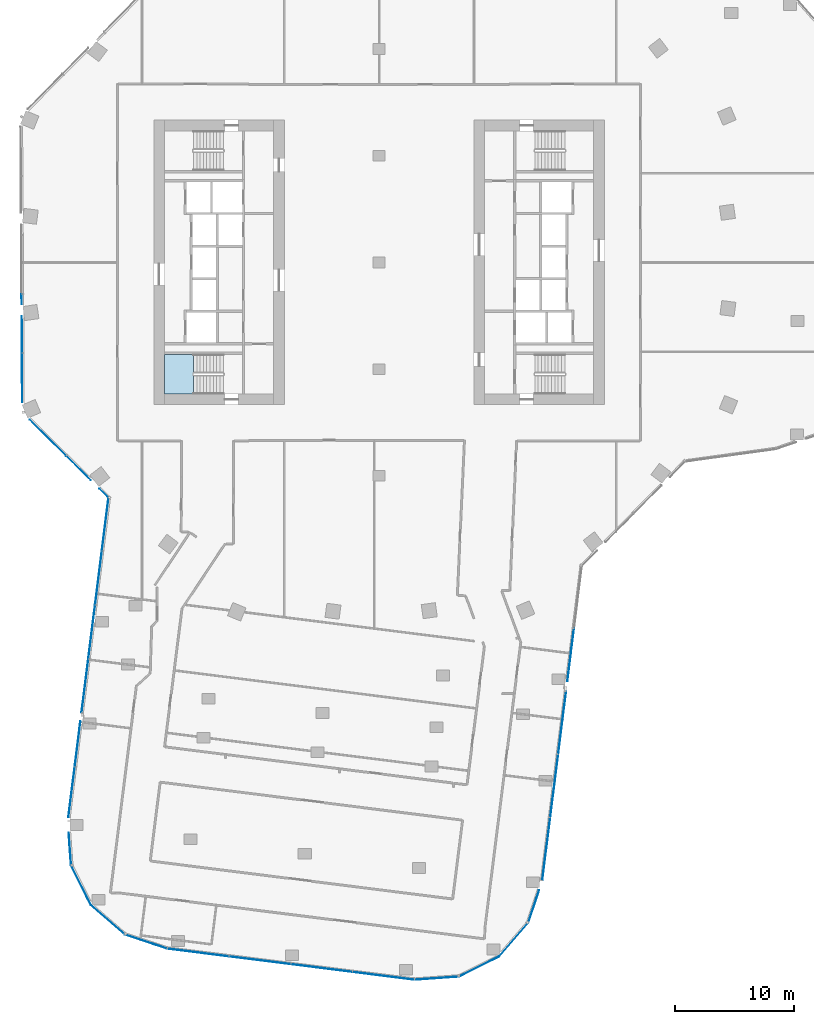
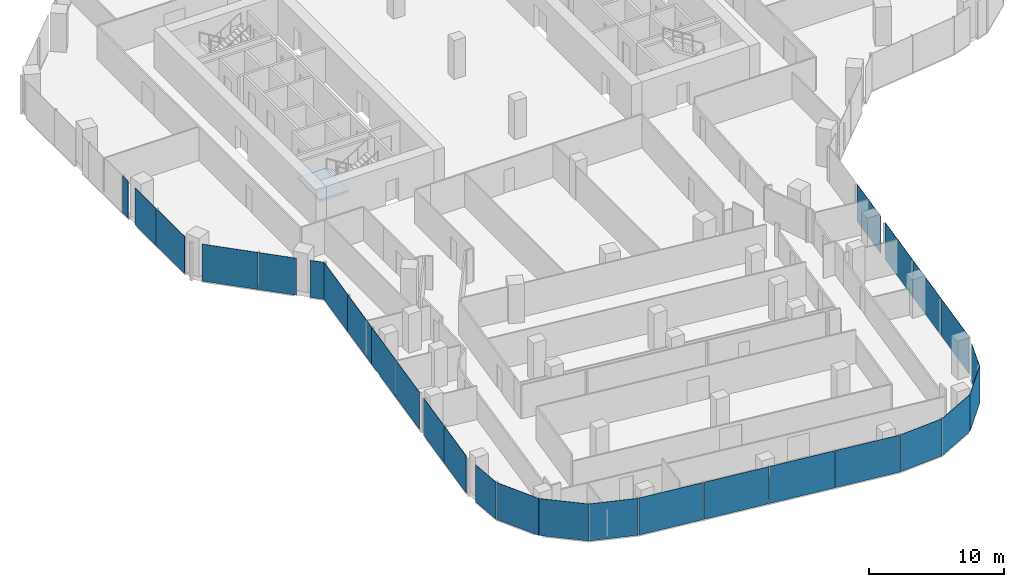
# One storey, part 13 of 27: 28 plates, 1 slab, 14 elements without a shape of their own.
"""IFC4 building model written with IfcOpenShell, lengths in metres."""

from ifc_helpers import new_model, si_unit, direction, frame, origin, origin_2d, place, context, subcontext, project, spatial, polyline, rectangle, outline, extrude, material, layer, layer_set, type_object, element, aggregate, save


model = new_model("IFC4")

# Units and contexts
model_context = context("Model", 3, precision=1e-05, world=origin(), true_north=direction((0.0, 1.0)))
body_context = subcontext(model_context, "Body", "Model", "MODEL_VIEW")
ifc_project = project(units=[si_unit("LENGTHUNIT", "METRE"), si_unit("AREAUNIT", "SQUARE_METRE"), si_unit("VOLUMEUNIT", "CUBIC_METRE"), si_unit("PLANEANGLEUNIT", "RADIAN"), si_unit("MASSUNIT", "GRAM", prefix="KILO")], contexts=[model_context])

# Site, building, storey
site_placement = place(None, origin())
site = spatial("IfcSite", under=ifc_project, at=site_placement, CompositionType="ELEMENT")
building_placement = place(site_placement, origin())
building = spatial("IfcBuilding", under=site, at=building_placement, Name="Orlundy Tower", CompositionType="ELEMENT")
storey_placement = place(building_placement, frame((0.0, 0.0, 199.10009765625)))
storey = spatial("IfcBuildingStorey", under=building, at=storey_placement, Name="L52", CompositionType="ELEMENT", Elevation=199.10009765625)

# Curtain wall, plates
ifc_material_1 = material(Name="Aluminium bronze anodised", Category="aluminium")
curtain_wall_type = type_object("IfcCurtainWallType", Name="CW1 wall", PredefinedType="NOTDEFINED", material=ifc_material_1)
curtain_wall_1_placement = place(storey_placement, origin())
curtain_wall_1 = element("IfcCurtainWall", 1, at=curtain_wall_1_placement, inside=storey, type_object=curtain_wall_type, Name="CW1 run 00", PredefinedType="NOTDEFINED")
ifc_material_2 = material(Name="Tinted glass", Category="glass")
ifc_layer_1 = layer(ifc_material_2, 0.031982421875)
ifc_layer_set_1 = layer_set([ifc_layer_1], Name="CW1 glass panel 32")
plate_type = type_object("IfcPlateType", Name="CW1 glass panel 32", PredefinedType="CURTAIN_PANEL", material=ifc_layer_set_1)
plate_1_placement = place(storey_placement, frame((-25.94189453125, -44.684814453125, -0.300048828125), z_axis=(0.0, 0.0, 1.0), x_axis=(0.124763360518, 0.992186526754, 0.0)))
plate_1 = element("IfcPlate", 2, at=plate_1_placement, type_object=plate_type, Name="CW1 panel", PredefinedType="CURTAIN_PANEL", context=body_context, shape_type="SweptSolid", body=[
    extrude(rectangle(XDim=4.27197265625, YDim=0.031982421875, at=origin_2d()), origin(), (0.0, 0.0, 1.0), 3.35009765625),
])
plate_2_placement = place(storey_placement, frame((-25.4306640625, -40.618896484375, -0.300048828125), z_axis=(0.0, 0.0, 1.0), x_axis=(0.124763360518, 0.992186526754, 0.0)))
plate_2 = element("IfcPlate", 3, at=plate_2_placement, type_object=plate_type, Name="CW1 panel", PredefinedType="CURTAIN_PANEL", context=body_context, shape_type="SweptSolid", body=[
    extrude(rectangle(XDim=3.823974609375, YDim=0.031982421875, at=origin_2d()), origin(), (0.0, 0.0, 1.0), 3.35009765625),
])
plate_3_placement = place(storey_placement, frame((-24.8134765625, -35.71142578125, -0.300048828125), z_axis=(0.0, 0.0, 1.0), x_axis=(0.124763360518, 0.992186526754, 0.0)))
plate_3 = element("IfcPlate", 4, at=plate_3_placement, type_object=plate_type, Name="CW1 panel", PredefinedType="CURTAIN_PANEL", context=body_context, shape_type="SweptSolid", body=[
    extrude(rectangle(XDim=4.53857421875, YDim=0.031982421875, at=origin_2d()), origin(), (0.0, 0.0, 1.0), 3.35009765625),
])
plate_4_placement = place(storey_placement, frame((-24.240966796875, -31.15869140625, -0.300048828125), z_axis=(0.0, 0.0, 1.0), x_axis=(0.124763360518, 0.992186526754, 0.0)))
plate_4 = element("IfcPlate", 5, at=plate_4_placement, type_object=plate_type, Name="CW1 panel", PredefinedType="CURTAIN_PANEL", context=body_context, shape_type="SweptSolid", body=[
    extrude(rectangle(XDim=4.53857421875, YDim=0.031982421875, at=origin_2d()), origin(), (0.0, 0.0, 1.0), 3.35009765625),
])
plate_5_placement = place(storey_placement, frame((-23.66845703125, -26.605712890625, -0.300048828125), z_axis=(0.0, 0.0, 1.0), x_axis=(0.124763360518, 0.992186526754, 0.0)))
plate_5 = element("IfcPlate", 6, at=plate_5_placement, type_object=plate_type, Name="CW1 panel", PredefinedType="CURTAIN_PANEL", context=body_context, shape_type="SweptSolid", body=[
    extrude(rectangle(XDim=4.53857421875, YDim=0.031982421875, at=origin_2d()), origin(), (0.0, 0.0, 1.0), 3.35009765625),
])
plate_6_placement = place(storey_placement, frame((-23.099365234375, -22.08056640625, -0.300048828125), z_axis=(0.0, 0.0, 1.0), x_axis=(0.124763360518, 0.992186526754, 0.0)))
plate_6 = element("IfcPlate", 7, at=plate_6_placement, type_object=plate_type, Name="CW1 panel", PredefinedType="CURTAIN_PANEL", context=body_context, shape_type="SweptSolid", body=[
    extrude(rectangle(XDim=4.48291015625, YDim=0.031982421875, at=origin_2d()), origin(), (0.0, 0.0, 1.0), 3.35009765625),
])
aggregate(curtain_wall_1, [plate_1, plate_2, plate_3, plate_4, plate_5, plate_6])

curtain_wall_2_placement = place(storey_placement, origin())
curtain_wall_2 = element("IfcCurtainWall", 8, at=curtain_wall_2_placement, inside=storey, type_object=curtain_wall_type, Name="CW1 run 01", PredefinedType="NOTDEFINED")
plate_7_placement = place(storey_placement, frame((-23.206298828125, -19.474853515625, -0.300048828125), z_axis=(0.0, 0.0, 1.0), x_axis=(-0.711197941896, 0.702991811789, 0.0)))
plate_7 = element("IfcPlate", 9, at=plate_7_placement, type_object=plate_type, Name="CW1 panel", PredefinedType="CURTAIN_PANEL", context=body_context, shape_type="SweptSolid", body=[
    extrude(rectangle(XDim=1.086669921875, YDim=0.031982421875, at=origin_2d()), origin(), (0.0, 0.0, 1.0), 3.35009765625),
])
plate_8_placement = place(storey_placement, frame((-25.350830078125, -17.35498046875, -0.300048828125), z_axis=(0.0, 0.0, 1.0), x_axis=(-0.711197941896, 0.702991811789, 0.0)))
plate_8 = element("IfcPlate", 10, at=plate_8_placement, type_object=plate_type, Name="CW1 panel", PredefinedType="CURTAIN_PANEL", context=body_context, shape_type="SweptSolid", body=[
    extrude(rectangle(XDim=2.90673828125, YDim=0.031982421875, at=origin_2d()), origin(), (0.0, 0.0, 1.0), 3.35009765625),
])
plate_9_placement = place(storey_placement, frame((-27.947509765625, -14.788330078125, -0.300048828125), z_axis=(0.0, 0.0, 1.0), x_axis=(-0.711197941896, 0.702991811789, 0.0)))
plate_9 = element("IfcPlate", 11, at=plate_9_placement, type_object=plate_type, Name="CW1 panel", PredefinedType="CURTAIN_PANEL", context=body_context, shape_type="SweptSolid", body=[
    extrude(rectangle(XDim=4.29541015625, YDim=0.031982421875, at=origin_2d()), origin(), (0.0, 0.0, 1.0), 3.35009765625),
])
aggregate(curtain_wall_2, [plate_7, plate_8, plate_9])

curtain_wall_3_placement = place(storey_placement, origin())
curtain_wall_3 = element("IfcCurtainWall", 12, at=curtain_wall_3_placement, inside=storey, type_object=curtain_wall_type, Name="CW1 run 02", PredefinedType="NOTDEFINED")
plate_10_placement = place(storey_placement, frame((-30.107666015625, -9.72998046875, -0.300048828125), z_axis=(0.0, 0.0, 1.0), x_axis=(-0.005834206419, 0.999982980873, 0.0)))
plate_10 = element("IfcPlate", 13, at=plate_10_placement, type_object=plate_type, Name="CW1 panel", PredefinedType="CURTAIN_PANEL", context=body_context, shape_type="SweptSolid", body=[
    extrude(rectangle(XDim=4.1474609375, YDim=0.031982421875, at=origin_2d()), origin(), (0.0, 0.0, 1.0), 3.35009765625),
])
plate_11_placement = place(storey_placement, frame((-30.129150390625, -6.078857421875, -0.300048828125), z_axis=(0.0, 0.0, 1.0), x_axis=(-0.005834206419, 0.999982980873, 0.0)))
plate_11 = element("IfcPlate", 14, at=plate_11_placement, type_object=plate_type, Name="CW1 panel", PredefinedType="CURTAIN_PANEL", context=body_context, shape_type="SweptSolid", body=[
    extrude(rectangle(XDim=3.054931640625, YDim=0.031982421875, at=origin_2d()), origin(), (0.0, 0.0, 1.0), 3.35009765625),
])
plate_12_placement = place(storey_placement, frame((-30.146484375, -3.109130859375, -0.300048828125), z_axis=(0.0, 0.0, 1.0), x_axis=(-0.005834206419, 0.999982980873, 0.0)))
plate_12 = element("IfcPlate", 15, at=plate_12_placement, type_object=plate_type, Name="CW1 panel", PredefinedType="CURTAIN_PANEL", context=body_context, shape_type="SweptSolid", body=[
    extrude(rectangle(XDim=0.8466796875, YDim=0.031982421875, at=origin_2d()), origin(), (0.0, 0.0, 1.0), 3.35009765625),
])
aggregate(curtain_wall_3, [plate_10, plate_11, plate_12])

curtain_wall_4_placement = place(storey_placement, origin())
curtain_wall_4 = element("IfcCurtainWall", 16, at=curtain_wall_4_placement, inside=storey, type_object=curtain_wall_type, Name="CW1 run 018", PredefinedType="NOTDEFINED")
plate_13_placement = place(storey_placement, frame((16.15966796875, -33.10693359375, -0.300048828125), z_axis=(0.0, 0.0, 1.0), x_axis=(-0.124742379758, -0.992189164773, 0.0)))
plate_13 = element("IfcPlate", 17, at=plate_13_placement, type_object=plate_type, Name="CW1 panel", PredefinedType="CURTAIN_PANEL", context=body_context, shape_type="SweptSolid", body=[
    extrude(rectangle(XDim=4.468505859375, YDim=0.031982421875, at=origin_2d()), origin(), (0.0, 0.0, 1.0), 3.35009765625),
])
plate_14_placement = place(storey_placement, frame((15.439208984375, -38.83740234375, -0.300048828125), z_axis=(0.0, 0.0, 1.0), x_axis=(-0.124742379758, -0.992189164773, 0.0)))
plate_14 = element("IfcPlate", 18, at=plate_14_placement, type_object=plate_type, Name="CW1 panel", PredefinedType="CURTAIN_PANEL", context=body_context, shape_type="SweptSolid", body=[
    extrude(rectangle(XDim=5.306640625, YDim=0.031982421875, at=origin_2d()), origin(), (0.0, 0.0, 1.0), 3.35009765625),
])
plate_15_placement = place(storey_placement, frame((14.77099609375, -44.15234375, -0.300048828125), z_axis=(0.0, 0.0, 1.0), x_axis=(-0.124742379758, -0.992189164773, 0.0)))
plate_15 = element("IfcPlate", 19, at=plate_15_placement, type_object=plate_type, Name="CW1 panel", PredefinedType="CURTAIN_PANEL", context=body_context, shape_type="SweptSolid", body=[
    extrude(rectangle(XDim=5.306640625, YDim=0.031982421875, at=origin_2d()), origin(), (0.0, 0.0, 1.0), 3.35009765625),
])
plate_16_placement = place(storey_placement, frame((14.101806640625, -49.47509765625, -0.300048828125), z_axis=(0.0, 0.0, 1.0), x_axis=(-0.124742379758, -0.992189164773, 0.0)))
plate_16 = element("IfcPlate", 20, at=plate_16_placement, type_object=plate_type, Name="CW1 panel", PredefinedType="CURTAIN_PANEL", context=body_context, shape_type="SweptSolid", body=[
    extrude(rectangle(XDim=5.32275390625, YDim=0.031982421875, at=origin_2d()), origin(), (0.0, 0.0, 1.0), 3.35009765625),
])
aggregate(curtain_wall_4, [plate_13, plate_14, plate_15, plate_16])

# Curtain wall, plate
curtain_wall_5_placement = place(storey_placement, origin())
curtain_wall_5 = element("IfcCurtainWall", 21, at=curtain_wall_5_placement, inside=storey, type_object=curtain_wall_type, Name="CW1 run 019", PredefinedType="NOTDEFINED")
plate_17_placement = place(storey_placement, frame((13.039794921875, -54.323974609375, -0.300048828125), z_axis=(0.0, 0.0, 1.0), x_axis=(-0.315904020179, -0.948791151958, 0.0)))
plate_17 = element("IfcPlate", 22, at=plate_17_placement, type_object=plate_type, Name="CW1 panel", PredefinedType="CURTAIN_PANEL", context=body_context, shape_type="SweptSolid", body=[
    extrude(rectangle(XDim=2.90869140625, YDim=0.031982421875, at=origin_2d()), origin(), (0.0, 0.0, 1.0), 3.35009765625),
])
aggregate(curtain_wall_5, [plate_17])

curtain_wall_6_placement = place(storey_placement, origin())
curtain_wall_6 = element("IfcCurtainWall", 23, at=curtain_wall_6_placement, inside=storey, type_object=curtain_wall_type, Name="CW1 run 020", PredefinedType="NOTDEFINED")
plate_18_placement = place(storey_placement, frame((11.344970703125, -57.12890625, -0.300048828125), z_axis=(0.0, 0.0, 1.0), x_axis=(-0.655002428568, -0.755626772005, 0.0)))
plate_18 = element("IfcPlate", 24, at=plate_18_placement, type_object=plate_type, Name="CW1 panel", PredefinedType="CURTAIN_PANEL", context=body_context, shape_type="SweptSolid", body=[
    extrude(rectangle(XDim=3.772216796875, YDim=0.031982421875, at=origin_2d()), origin(), (0.0, 0.0, 1.0), 3.35009765625),
])
aggregate(curtain_wall_6, [plate_18])

curtain_wall_7_placement = place(storey_placement, origin())
curtain_wall_7 = element("IfcCurtainWall", 25, at=curtain_wall_7_placement, inside=storey, type_object=curtain_wall_type, Name="CW1 run 021", PredefinedType="NOTDEFINED")
plate_19_placement = place(storey_placement, frame((8.4228515625, -59.398193359375, -0.300048828125), z_axis=(0.0, 0.0, 1.0), x_axis=(-0.894265274448, -0.447537282153, 0.0)))
plate_19 = element("IfcPlate", 26, at=plate_19_placement, type_object=plate_type, Name="CW1 panel", PredefinedType="CURTAIN_PANEL", context=body_context, shape_type="SweptSolid", body=[
    extrude(rectangle(XDim=3.772216796875, YDim=0.031982421875, at=origin_2d()), origin(), (0.0, 0.0, 1.0), 3.35009765625),
])
aggregate(curtain_wall_7, [plate_19])

curtain_wall_8_placement = place(storey_placement, origin())
curtain_wall_8 = element("IfcCurtainWall", 27, at=curtain_wall_8_placement, inside=storey, type_object=curtain_wall_type, Name="CW1 run 022", PredefinedType="NOTDEFINED")
plate_20_placement = place(storey_placement, frame((4.8759765625, -60.375, -0.300048828125), z_axis=(0.0, 0.0, 1.0), x_axis=(-0.997460069203, -0.071227876188, 0.0)))
plate_20 = element("IfcPlate", 28, at=plate_20_placement, type_object=plate_type, Name="CW1 panel", PredefinedType="CURTAIN_PANEL", context=body_context, shape_type="SweptSolid", body=[
    extrude(rectangle(XDim=3.72998046875, YDim=0.031982421875, at=origin_2d()), origin(), (0.0, 0.0, 1.0), 3.35009765625),
])
aggregate(curtain_wall_8, [plate_20])

# Curtain wall, plates
curtain_wall_9_placement = place(storey_placement, origin())
curtain_wall_9 = element("IfcCurtainWall", 29, at=curtain_wall_9_placement, inside=storey, type_object=curtain_wall_type, Name="CW1 run 023", PredefinedType="NOTDEFINED")
plate_21_placement = place(storey_placement, frame((0.3779296875, -60.18115234375, -0.300048828125), z_axis=(0.0, 0.0, 1.0), x_axis=(-0.992186768434, 0.12476143853, 0.0)))
plate_21 = element("IfcPlate", 30, at=plate_21_placement, type_object=plate_type, Name="CW1 panel", PredefinedType="CURTAIN_PANEL", context=body_context, shape_type="SweptSolid", body=[
    extrude(rectangle(XDim=5.216064453125, YDim=0.031982421875, at=origin_2d()), origin(), (0.0, 0.0, 1.0), 3.35009765625),
])
plate_22_placement = place(storey_placement, frame((-4.8388671875, -59.525146484375, -0.300048828125), z_axis=(0.0, 0.0, 1.0), x_axis=(-0.992186768434, 0.12476143853, 0.0)))
plate_22 = element("IfcPlate", 31, at=plate_22_placement, type_object=plate_type, Name="CW1 panel", PredefinedType="CURTAIN_PANEL", context=body_context, shape_type="SweptSolid", body=[
    extrude(rectangle(XDim=5.199951171875, YDim=0.031982421875, at=origin_2d()), origin(), (0.0, 0.0, 1.0), 3.35009765625),
])
plate_23_placement = place(storey_placement, frame((-10.0478515625, -58.8701171875, -0.300048828125), z_axis=(0.0, 0.0, 1.0), x_axis=(-0.992186768434, 0.12476143853, 0.0)))
plate_23 = element("IfcPlate", 32, at=plate_23_placement, type_object=plate_type, Name="CW1 panel", PredefinedType="CURTAIN_PANEL", context=body_context, shape_type="SweptSolid", body=[
    extrude(rectangle(XDim=5.199951171875, YDim=0.031982421875, at=origin_2d()), origin(), (0.0, 0.0, 1.0), 3.35009765625),
])
plate_24_placement = place(storey_placement, frame((-15.264892578125, -58.214111328125, -0.300048828125), z_axis=(0.0, 0.0, 1.0), x_axis=(-0.992186768434, 0.12476143853, 0.0)))
plate_24 = element("IfcPlate", 33, at=plate_24_placement, type_object=plate_type, Name="CW1 panel", PredefinedType="CURTAIN_PANEL", context=body_context, shape_type="SweptSolid", body=[
    extrude(rectangle(XDim=5.216064453125, YDim=0.031982421875, at=origin_2d()), origin(), (0.0, 0.0, 1.0), 3.35009765625),
])
aggregate(curtain_wall_9, [plate_21, plate_22, plate_23, plate_24])

# Curtain wall, plate
curtain_wall_10_placement = place(storey_placement, origin())
curtain_wall_10 = element("IfcCurtainWall", 34, at=curtain_wall_10_placement, inside=storey, type_object=curtain_wall_type, Name="CW1 run 024", PredefinedType="NOTDEFINED")
plate_25_placement = place(storey_placement, frame((-19.671142578125, -57.28857421875, -0.300048828125), z_axis=(0.0, 0.0, 1.0), x_axis=(-0.948791151958, 0.315904020179, 0.0)))
plate_25 = element("IfcPlate", 35, at=plate_25_placement, type_object=plate_type, Name="CW1 panel", PredefinedType="CURTAIN_PANEL", context=body_context, shape_type="SweptSolid", body=[
    extrude(rectangle(XDim=3.73046875, YDim=0.031982421875, at=origin_2d()), origin(), (0.0, 0.0, 1.0), 3.35009765625),
])
aggregate(curtain_wall_10, [plate_25])

curtain_wall_11_placement = place(storey_placement, origin())
curtain_wall_11 = element("IfcCurtainWall", 36, at=curtain_wall_11_placement, inside=storey, type_object=curtain_wall_type, Name="CW1 run 025", PredefinedType="NOTDEFINED")
plate_26_placement = place(storey_placement, frame((-22.865966796875, -55.4638671875, -0.300048828125), z_axis=(0.0, 0.0, 1.0), x_axis=(-0.755626772005, 0.655002428568, 0.0)))
plate_26 = element("IfcPlate", 37, at=plate_26_placement, type_object=plate_type, Name="CW1 panel", PredefinedType="CURTAIN_PANEL", context=body_context, shape_type="SweptSolid", body=[
    extrude(rectangle(XDim=3.77197265625, YDim=0.031982421875, at=origin_2d()), origin(), (0.0, 0.0, 1.0), 3.35009765625),
])
aggregate(curtain_wall_11, [plate_26])

curtain_wall_12_placement = place(storey_placement, origin())
curtain_wall_12 = element("IfcCurtainWall", 38, at=curtain_wall_12_placement, inside=storey, type_object=curtain_wall_type, Name="CW1 run 026", PredefinedType="NOTDEFINED")
plate_27_placement = place(storey_placement, frame((-25.13525390625, -52.54248046875, -0.300048828125), z_axis=(0.0, 0.0, 1.0), x_axis=(-0.447645268798, 0.894211224109, 0.0)))
plate_27 = element("IfcPlate", 39, at=plate_27_placement, type_object=plate_type, Name="CW1 panel", PredefinedType="CURTAIN_PANEL", context=body_context, shape_type="SweptSolid", body=[
    extrude(rectangle(XDim=3.771240234375, YDim=0.031982421875, at=origin_2d()), origin(), (0.0, 0.0, 1.0), 3.35009765625),
])
aggregate(curtain_wall_12, [plate_27])

curtain_wall_13_placement = place(storey_placement, origin())
curtain_wall_13 = element("IfcCurtainWall", 40, at=curtain_wall_13_placement, inside=storey, type_object=curtain_wall_type, Name="CW1 run 027", PredefinedType="NOTDEFINED")
plate_28_placement = place(storey_placement, frame((-26.077392578125, -49.480224609375, -0.300048828125), z_axis=(0.0, 0.0, 1.0), x_axis=(-0.071208712685, 0.997461437469, 0.0)))
plate_28 = element("IfcPlate", 41, at=plate_28_placement, type_object=plate_type, Name="CW1 panel", PredefinedType="CURTAIN_PANEL", context=body_context, shape_type="SweptSolid", body=[
    extrude(rectangle(XDim=2.75927734375, YDim=0.031982421875, at=origin_2d()), origin(), (0.0, 0.0, 1.0), 3.35009765625),
])
aggregate(curtain_wall_13, [plate_28])

# Stair, slab
ifc_material_3 = material(Name="Concrete C50/60", Category="concrete")
stair_type = type_object("IfcStairType", Name="Exit Stair 20 risers", PredefinedType="HALF_TURN_STAIR", material=ifc_material_3)
stair_placement = place(storey_placement, origin())
stair = element("IfcStair", 42, at=stair_placement, inside=storey, type_object=stair_type, Name="L52 Exit Stair ST-W2", PredefinedType="HALF_TURN_STAIR")
ifc_material_4 = material(Name="Concrete C50/60", Category="concrete")
ifc_layer_2 = layer(ifc_material_4, 0.199951171875)
ifc_layer_set_2 = layer_set([ifc_layer_2], Name="Exit Stair Landing")
slab_type = type_object("IfcSlabType", Name="Exit Stair Landing", PredefinedType="LANDING", material=ifc_layer_set_2)
slab_placement = place(storey_placement, frame((0.0, 0.0, 1.5498046875)))
slab = element("IfcSlab", 43, at=slab_placement, type_object=slab_type, Name="ST-W2 landing 1", PredefinedType="LANDING", context=body_context, shape_type="SweptSolid", body=[
    extrude(outline(polyline([(-15.659912109375, -7.75), (-18.10009765625, -7.75), (-18.10009765625, -11.10009765625), (-15.659912109375, -11.10009765625), (-15.659912109375, -7.75)])), origin(), (0.0, 0.0, 1.0), 0.2001953125),
])
aggregate(stair, [slab])

save(model, "model.ifc")
